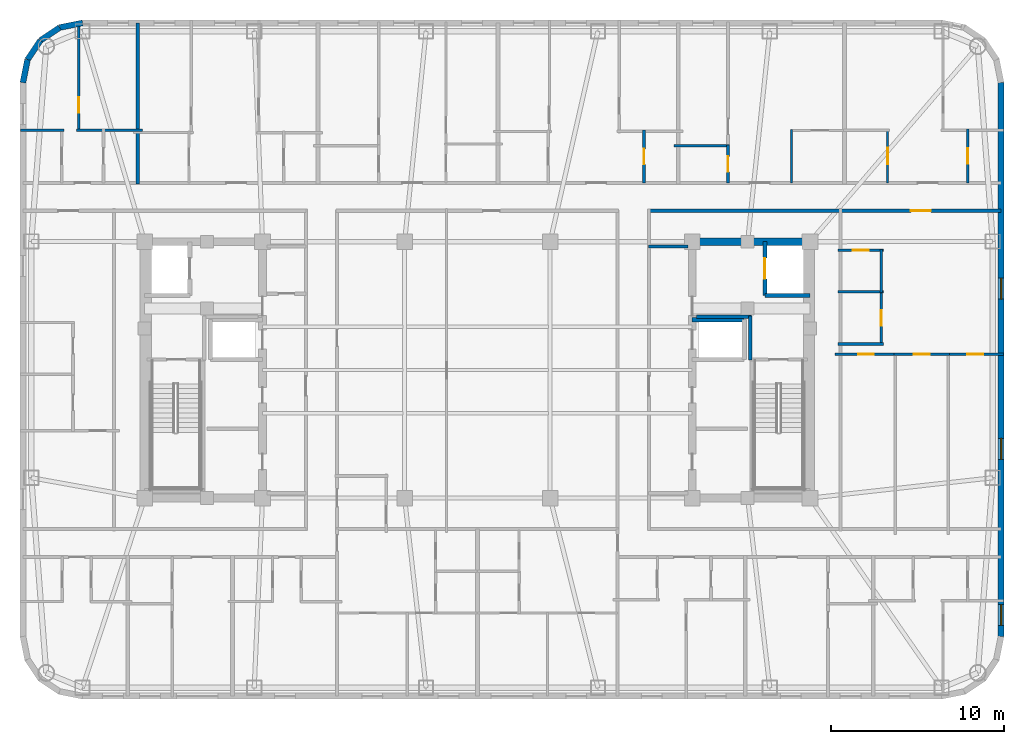
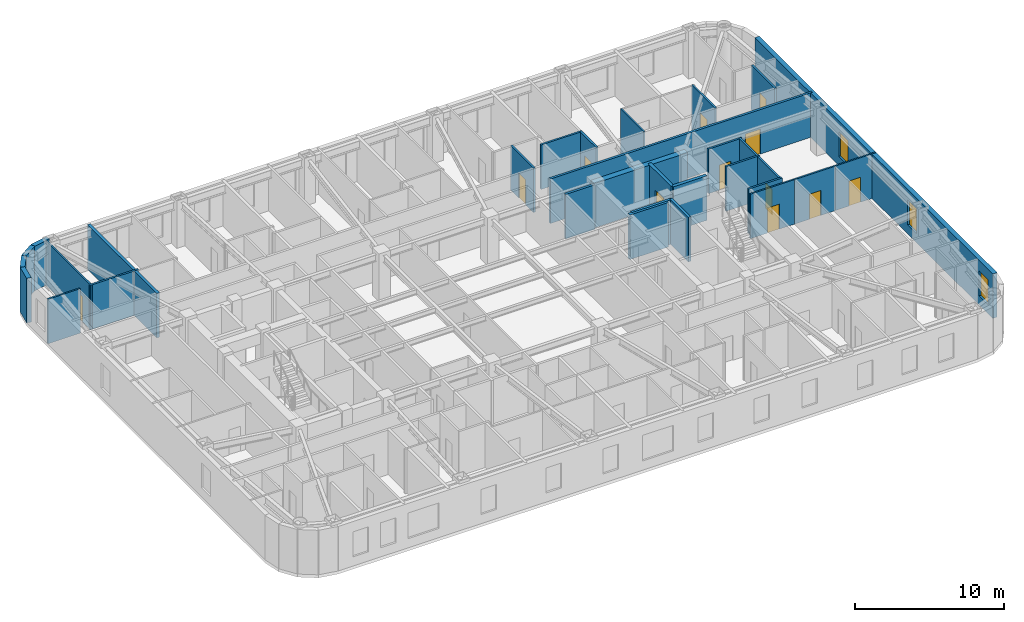
# One storey, part 7 of 11: 31 walls, 12 doors, 3 windows, 15 openings.
"""IFC4 building model written with IfcOpenShell, lengths in metres."""

from ifc_helpers import new_model, si_unit, direction, frame, frame_2d, origin, place, context, subcontext, project, spatial, rectangle, extrude, material, layer, layer_set, type_object, element, fill, save


model = new_model("IFC4")

# Units and contexts
model_context = context("Model", 3, precision=1e-05, world=origin(), true_north=direction((0.0, 1.0)))
body_context = subcontext(model_context, "Body", "Model", "MODEL_VIEW")
ifc_project = project(units=[si_unit("LENGTHUNIT", "METRE"), si_unit("AREAUNIT", "SQUARE_METRE"), si_unit("VOLUMEUNIT", "CUBIC_METRE"), si_unit("PLANEANGLEUNIT", "RADIAN"), si_unit("MASSUNIT", "GRAM", prefix="KILO")], contexts=[model_context])

# Site, building, storey
site_placement = place(None, origin())
site = spatial("IfcSite", under=ifc_project, at=site_placement, CompositionType="ELEMENT")
building_placement = place(site_placement, origin())
building = spatial("IfcBuilding", under=site, at=building_placement, Name="Voryun Gate Residences", CompositionType="ELEMENT")
storey_placement = place(building_placement, frame((0.0, 0.0, 223.60009765625)))
storey = spatial("IfcBuildingStorey", under=building, at=storey_placement, Name="L55", CompositionType="ELEMENT", Elevation=223.60009765625)

# Walls
ifc_material_1 = material(Name="Concrete C50/60", Category="concrete")
ifc_layer_1 = layer(ifc_material_1, 0.449951171875, Name="CW_CORE_450")
ifc_layer_set_1 = layer_set([ifc_layer_1], Name="Concrete C50/60")
wall_type_1 = type_object("IfcWallType", Name="CW_CORE_450", PredefinedType="SHEAR", material=ifc_layer_set_1)
wall_1_placement = place(storey_placement, frame((12.175048828125, 7.39990234375, 0.0), z_axis=(0.0, 0.0, 1.0), x_axis=(1.0, 0.0, 0.0)))
element("IfcWall", 1, at=wall_1_placement, inside=storey, type_object=wall_type_1, Name="L55 Core shear wall CW-L55-EN", PredefinedType="SHEAR", context=body_context, shape_type="SweptSolid", body=[
    extrude(rectangle(XDim=7.25, YDim=0.449951171875, at=frame_2d((3.625, 0.0))), origin(), (0.0, 0.0, 1.0), 3.64990234375),
])
ifc_material_2 = material(Name="Gypsum acoustic fireboard")
ifc_layer_2 = layer(ifc_material_2, 0.179931640625, Name="W_CORR_RATED_180")
ifc_layer_set_2 = layer_set([ifc_layer_2], Name="Gypsum acoustic fireboard")
wall_type_2 = type_object("IfcWallType", Name="W_CORR_RATED_180", PredefinedType="PARTITIONING", material=ifc_layer_set_2)
wall_2_placement = place(storey_placement, frame((9.8798828125, 7.1201171875, 0.0), z_axis=(0.0, 0.0, 1.0), x_axis=(1.0, 0.0, 0.0)))
element("IfcWall", 2, at=wall_2_placement, inside=storey, type_object=wall_type_2, Name="Partition wall WP-L55-PLBN-E", PredefinedType="PARTITIONING", context=body_context, shape_type="SweptSolid", body=[
    extrude(rectangle(XDim=2.27001953125, YDim=0.179931640625, at=frame_2d((1.135009765625, 0.0))), origin(), (0.0, 0.0, 1.0), 3.64990234375),
])

# Wall, opening, door
wall_3_placement = place(storey_placement, frame((9.8798828125, 9.18994140625, 0.0), z_axis=(0.0, 0.0, 1.0), x_axis=(1.0, 0.0, 0.0)))
wall_3 = element("IfcWall", 3, at=wall_3_placement, inside=storey, type_object=wall_type_2, Name="Partition wall WP-L55-CWING-EN", PredefinedType="PARTITIONING", context=body_context, shape_type="SweptSolid", body=[
    extrude(rectangle(XDim=20.35009765625, YDim=0.179931640625, at=frame_2d((10.175048828125, 0.0))), origin(), (0.0, 0.0, 1.0), 3.64990234375),
])
opening_1_placement = place(wall_3_placement, frame((15.1494140625, 0.0, 0.0)))
opening_1 = element("IfcOpeningElement", 4, at=opening_1_placement, cuts=wall_3, Name="Opening D-UNIT-1", PredefinedType="OPENING", context=body_context, shape_type="SweptSolid", body=[
    extrude(rectangle(XDim=1.14990234375, YDim=2.050048828125, at=frame_2d((0.574951171875, 1.02490234375))), frame((0.0, 0.099853515625, 0.0), z_axis=(0.0, -1.0, 0.0), x_axis=(1.0, 0.0, 0.0)), (0.0, 0.0, 1.0), 0.199951171875),
])
ifc_material_3 = material(Name="Armoured timber-clad fire door", Category="wood")
door_type_1 = type_object("IfcDoorType", Name="DR_UNIT_ENTRY_1150", OperationType="NOTDEFINED", PredefinedType="DOOR", material=ifc_material_3)
door_1_placement = place(opening_1_placement, origin())
door_1 = element("IfcDoor", 5, at=door_1_placement, inside=storey, type_object=door_type_1, Name="Door DR-L55-EE1N", OperationType="SINGLE_SWING_LEFT", OverallHeight=2.050048828125, OverallWidth=1.14990234375, PredefinedType="DOOR", context=body_context, shape_type="SweptSolid", body=[
    extrude(rectangle(XDim=1.14990234375, YDim=2.050048828125, at=frame_2d((0.574951171875, 1.02490234375))), frame((0.0, 0.02490234375, 0.0), z_axis=(0.0, -1.0, 0.0), x_axis=(1.0, 0.0, 0.0)), (0.0, 0.0, 1.0), 0.050048828125),
])
fill(opening_1, door_1)

# Walls
ifc_material_4 = material(Name="Charcoal terracotta masonry", Category="masonry")
ifc_layer_3 = layer(ifc_material_4, 0.340087890625, Name="W_EXT_TERRACOTTA_340")
ifc_layer_set_3 = layer_set([ifc_layer_3], Name="Charcoal terracotta masonry")
wall_type_3 = type_object("IfcWallType", Name="W_EXT_TERRACOTTA_340", PredefinedType="ELEMENTEDWALL", material=ifc_layer_set_3)
wall_4_placement = place(storey_placement, frame((-26.22998046875, 16.583251953125, 0.0), z_axis=(0.0, 0.0, 1.0), x_axis=(0.195075878998, 0.980788153188, 0.0)))
element("IfcWall", 6, at=wall_4_placement, inside=storey, type_object=wall_type_3, Name="Exterior wall WEXT-L55-07", PredefinedType="ELEMENTEDWALL", context=body_context, shape_type="SweptSolid", body=[
    extrude(rectangle(XDim=1.354248046875, YDim=0.340087890625, at=frame_2d((0.67724609375, 0.0))), origin(), (0.0, 0.0, 1.0), 3.64990234375),
])
for number, where, z_axis, x_axis, name in (
    (7, (-25.9658203125, 17.911376953125, 0.0), (0.0, 0.0, 1.0), (0.555669034571, 0.831403586725, 0.0), "Exterior wall WEXT-L55-08"),
    (8, (-25.222900390625, 19.02294921875, 0.0), (0.0, 0.0, 1.0), (0.831403586725, 0.555669034571, 0.0), "Exterior wall WEXT-L55-09"),
):
    element("IfcWall", number, at=place(storey_placement, frame(where, z_axis=z_axis, x_axis=x_axis)), inside=storey, type_object=wall_type_3, Name=name, PredefinedType="ELEMENTEDWALL", context=body_context, shape_type="SweptSolid", body=[
        extrude(rectangle(XDim=1.3369140625, YDim=0.340087890625, at=frame_2d((0.66845703125, 0.0))), origin(), (0.0, 0.0, 1.0), 3.64990234375),
    ])
wall_5_placement = place(storey_placement, frame((-24.111328125, 19.765869140625, 0.0), z_axis=(0.0, 0.0, 1.0), x_axis=(0.980788153188, 0.195075878998, 0.0)))
element("IfcWall", 9, at=wall_5_placement, inside=storey, type_object=wall_type_3, Name="Exterior wall WEXT-L55-10", PredefinedType="ELEMENTEDWALL", context=body_context, shape_type="SweptSolid", body=[
    extrude(rectangle(XDim=1.354248046875, YDim=0.340087890625, at=frame_2d((0.67724609375, 0.0))), origin(), (0.0, 0.0, 1.0), 3.64990234375),
])

# Wall, openings, windows
wall_6_placement = place(storey_placement, frame((30.22998046875, 16.583251953125, 0.0), z_axis=(0.0, 0.0, 1.0), x_axis=(0.0, -1.0, 0.0)))
wall_6 = element("IfcWall", 10, at=wall_6_placement, inside=storey, type_object=wall_type_3, Name="Exterior wall WEXT-L55-16", PredefinedType="ELEMENTEDWALL", context=body_context, shape_type="SweptSolid", body=[
    extrude(rectangle(XDim=31.966552734375, YDim=0.340087890625, at=frame_2d((15.9833984375, 0.0))), origin(), (0.0, 0.0, 1.0), 3.64990234375),
])
opening_2_placement = place(wall_6_placement, frame((30.13232421875, 0.0, 0.75)))
opening_2 = element("IfcOpeningElement", 11, at=opening_2_placement, cuts=wall_6, Name="Opening WN6", PredefinedType="OPENING", context=body_context, shape_type="SweptSolid", body=[
    extrude(rectangle(XDim=1.199951171875, YDim=2.050048828125, at=frame_2d((0.60009765625, 1.02490234375))), frame((0.0, 0.179931640625, 0.0), z_axis=(0.0, -1.0, 0.0), x_axis=(1.0, 0.0, 0.0)), (0.0, 0.0, 1.0), 0.360107421875),
])
opening_3_placement = place(wall_6_placement, frame((11.288330078125, 0.0, 0.75)))
opening_3 = element("IfcOpeningElement", 12, at=opening_3_placement, cuts=wall_6, Name="Opening WN6", PredefinedType="OPENING", context=body_context, shape_type="SweptSolid", body=[
    extrude(rectangle(XDim=1.199951171875, YDim=2.050048828125, at=frame_2d((0.60009765625, 1.02490234375))), frame((0.0, 0.179931640625, 0.0), z_axis=(0.0, -1.0, 0.0), x_axis=(1.0, 0.0, 0.0)), (0.0, 0.0, 1.0), 0.360107421875),
])
opening_4_placement = place(wall_6_placement, frame((20.538330078125, 0.0, 0.75)))
opening_4 = element("IfcOpeningElement", 13, at=opening_4_placement, cuts=wall_6, Name="Opening WN6", PredefinedType="OPENING", context=body_context, shape_type="SweptSolid", body=[
    extrude(rectangle(XDim=1.199951171875, YDim=2.050048828125, at=frame_2d((0.60009765625, 1.02490234375))), frame((0.0, 0.179931640625, 0.0), z_axis=(0.0, -1.0, 0.0), x_axis=(1.0, 0.0, 0.0)), (0.0, 0.0, 1.0), 0.360107421875),
])
ifc_material_5 = material(Name="Laminated low-E glass", Category="glass")
window_type = type_object("IfcWindowType", Name="WN_POD_SLOT_1200", PartitioningType="SINGLE_PANEL", PredefinedType="WINDOW", material=ifc_material_5)
window_1_placement = place(opening_2_placement, origin())
window_1 = element("IfcWindow", 14, at=window_1_placement, inside=storey, type_object=window_type, Name="Window WN-L55-DWFIX-23", OverallHeight=2.050048828125, OverallWidth=1.199951171875, PartitioningType="SINGLE_PANEL", PredefinedType="WINDOW", context=body_context, shape_type="SweptSolid", body=[
    extrude(rectangle(XDim=1.199951171875, YDim=2.050048828125, at=frame_2d((0.60009765625, 1.02490234375))), frame((0.0, 0.030029296875, 0.0), z_axis=(0.0, -1.0, 0.0), x_axis=(1.0, 0.0, 0.0)), (0.0, 0.0, 1.0), 0.06005859375),
])
fill(opening_2, window_1)
window_2_placement = place(opening_3_placement, origin())
window_2 = element("IfcWindow", 15, at=window_2_placement, inside=storey, type_object=window_type, Name="Window WN-L55-DWFIX-29", OverallHeight=2.050048828125, OverallWidth=1.199951171875, PartitioningType="SINGLE_PANEL", PredefinedType="WINDOW", context=body_context, shape_type="SweptSolid", body=[
    extrude(rectangle(XDim=1.199951171875, YDim=2.050048828125, at=frame_2d((0.60009765625, 1.02490234375))), frame((0.0, 0.030029296875, 0.0), z_axis=(0.0, -1.0, 0.0), x_axis=(1.0, 0.0, 0.0)), (0.0, 0.0, 1.0), 0.06005859375),
])
fill(opening_3, window_2)
window_3_placement = place(opening_4_placement, origin())
window_3 = element("IfcWindow", 16, at=window_3_placement, inside=storey, type_object=window_type, Name="Window WN-L55-DWFIX-30", OverallHeight=2.050048828125, OverallWidth=1.199951171875, PartitioningType="SINGLE_PANEL", PredefinedType="WINDOW", context=body_context, shape_type="SweptSolid", body=[
    extrude(rectangle(XDim=1.199951171875, YDim=2.050048828125, at=frame_2d((0.60009765625, 1.02490234375))), frame((0.0, 0.030029296875, 0.0), z_axis=(0.0, -1.0, 0.0), x_axis=(1.0, 0.0, 0.0)), (0.0, 0.0, 1.0), 0.06005859375),
])
fill(opening_4, window_3)

# Walls
ifc_material_6 = material(Name="Concrete C40/50", Category="concrete")
ifc_layer_4 = layer(ifc_material_6, 0.199951171875, Name="W_FF_LOBBY_200")
ifc_layer_set_4 = layer_set([ifc_layer_4], Name="Concrete C40/50")
wall_type_4 = type_object("IfcWallType", Name="W_FF_LOBBY_200", PredefinedType="PARTITIONING", material=ifc_layer_set_4)
wall_7_placement = place(storey_placement, frame((15.760009765625, 0.580078125, 0.0), z_axis=(0.0, 0.0, 1.0), x_axis=(0.0, 1.0, 0.0)))
element("IfcWall", 17, at=wall_7_placement, inside=storey, type_object=wall_type_4, Name="Partition wall WP-L55-FFP0-E", PredefinedType="PARTITIONING", context=body_context, shape_type="SweptSolid", body=[
    extrude(rectangle(XDim=2.52001953125, YDim=0.199951171875, at=frame_2d((1.260009765625, 0.0))), origin(), (0.0, 0.0, 1.0), 3.64990234375),
])
wall_8_placement = place(storey_placement, frame((12.659912109375, 3.06005859375, 0.0), z_axis=(0.0, 0.0, 1.0), x_axis=(1.0, 0.0, 0.0)))
element("IfcWall", 18, at=wall_8_placement, inside=storey, type_object=wall_type_4, Name="Partition wall WP-L55-FFPS-E", PredefinedType="PARTITIONING", context=body_context, shape_type="SweptSolid", body=[
    extrude(rectangle(XDim=3.16015625, YDim=0.199951171875, at=frame_2d((1.580078125, 0.0))), origin(), (0.0, 0.0, 1.0), 3.64990234375),
])
ifc_material_7 = material(Name="Concrete C40/50", Category="concrete")
ifc_layer_5 = layer(ifc_material_7, 0.219970703125, Name="W_PARTY_ACOUSTIC_220")
ifc_layer_set_5 = layer_set([ifc_layer_5], Name="Concrete C40/50")
wall_type_5 = type_object("IfcWallType", Name="W_PARTY_ACOUSTIC_220", PredefinedType="PARTITIONING", material=ifc_layer_set_5)
wall_9_placement = place(storey_placement, frame((-19.60009765625, 10.719970703125, 0.0), z_axis=(0.0, 0.0, 1.0), x_axis=(0.0, 1.0, 0.0)))
element("IfcWall", 19, at=wall_9_placement, inside=storey, type_object=wall_type_5, Name="Partition wall WP-L55-NPTY-1", PredefinedType="PARTITIONING", context=body_context, shape_type="SweptSolid", body=[
    extrude(rectangle(XDim=9.31005859375, YDim=0.219970703125, at=frame_2d((4.655029296875, 0.0))), origin(), (0.0, 0.0, 1.0), 3.64990234375),
])
ifc_material_8 = material(Name="Concrete C50/60", Category="concrete")
ifc_layer_6 = layer(ifc_material_8, 0.25, Name="W_SHAFT_RC250")
ifc_layer_set_6 = layer_set([ifc_layer_6], Name="Concrete C50/60")
wall_type_6 = type_object("IfcWallType", Name="W_SHAFT_RC250", PredefinedType="SOLIDWALL", material=ifc_layer_set_6)
wall_10_placement = place(storey_placement, frame((16.60009765625, 4.300048828125, 0.0), z_axis=(0.0, 0.0, 1.0), x_axis=(1.0, 0.0, 0.0)))
element("IfcWall", 20, at=wall_10_placement, inside=storey, type_object=wall_type_6, Name="Lift shaft wall WSH-L55-EL-FF-E1-S", PredefinedType="SOLIDWALL", context=body_context, shape_type="SweptSolid", body=[
    extrude(rectangle(XDim=2.599853515625, YDim=0.25, at=frame_2d((1.2998046875, 0.0))), origin(), (0.0, 0.0, 1.0), 3.64990234375),
])

# Wall, opening, door
wall_11_placement = place(storey_placement, frame((16.60009765625, 7.39990234375, 0.0), z_axis=(0.0, 0.0, 1.0), x_axis=(0.0, -1.0, 0.0)))
wall_11 = element("IfcWall", 21, at=wall_11_placement, inside=storey, type_object=wall_type_6, Name="Lift shaft wall WSH-L55-EL-FF-E1-W", PredefinedType="SOLIDWALL", context=body_context, shape_type="SweptSolid", body=[
    extrude(rectangle(XDim=3.099853515625, YDim=0.25, at=frame_2d((1.5498046875, 0.0))), origin(), (0.0, 0.0, 1.0), 3.64990234375),
])
opening_5_placement = place(wall_11_placement, frame((0.949951171875, 0.0, 0.0)))
opening_5 = element("IfcOpeningElement", 22, at=opening_5_placement, cuts=wall_11, Name="Opening LD1", PredefinedType="OPENING", context=body_context, shape_type="SweptSolid", body=[
    extrude(rectangle(XDim=1.199951171875, YDim=2.050048828125, at=frame_2d((0.60009765625, 1.02490234375))), frame((0.0, 0.135009765625, 0.0), z_axis=(0.0, -1.0, 0.0), x_axis=(1.0, 0.0, 0.0)), (0.0, 0.0, 1.0), 0.27001953125),
])
ifc_material_9 = material(Name="Anodised aluminium", Category="aluminium")
door_type_2 = type_object("IfcDoorType", Name="DR_LD_FF_1200", OperationType="NOTDEFINED", PredefinedType="DOOR", material=ifc_material_9)
door_2_placement = place(opening_5_placement, origin())
door_2 = element("IfcDoor", 23, at=door_2_placement, inside=storey, type_object=door_type_2, Name="Lift EL-FF-E1 sliding landing door L55", OperationType="SLIDING_TO_LEFT", OverallHeight=2.050048828125, OverallWidth=1.199951171875, PredefinedType="DOOR", context=body_context, shape_type="SweptSolid", body=[
    extrude(rectangle(XDim=1.199951171875, YDim=2.050048828125, at=frame_2d((0.60009765625, 1.02490234375))), frame((0.0, 0.02490234375, 0.0), z_axis=(0.0, -1.0, 0.0), x_axis=(1.0, 0.0, 0.0)), (0.0, 0.0, 1.0), 0.050048828125),
])
fill(opening_5, door_2)

# Wall
wall_12_placement = place(storey_placement, frame((15.39990234375, 2.89990234375, 0.0), z_axis=(0.0, 0.0, 1.0), x_axis=(-1.0, 0.0, 0.0)))
element("IfcWall", 24, at=wall_12_placement, inside=storey, type_object=wall_type_6, Name="Lift shaft wall WSH-L55-EL-P8-N", PredefinedType="SOLIDWALL", context=body_context, shape_type="SweptSolid", body=[
    extrude(rectangle(XDim=3.0, YDim=0.25, at=frame_2d((1.5, 0.0))), origin(), (0.0, 0.0, 1.0), 3.64990234375),
])

# Wall, opening, door
ifc_material_10 = material(Name="Gypsum acoustic partition")
ifc_layer_7 = layer(ifc_material_10, 0.125, Name="W_UNIT_PART_125")
ifc_layer_set_7 = layer_set([ifc_layer_7], Name="Gypsum acoustic partition")
wall_type_7 = type_object("IfcWallType", Name="W_UNIT_PART_125", PredefinedType="PARTITIONING", material=ifc_layer_set_7)
wall_13_placement = place(storey_placement, frame((-23.010009765625, 13.759033203125, 0.0), z_axis=(0.0, 0.0, 1.0), x_axis=(0.0, 1.0, 0.0)))
wall_13 = element("IfcWall", 25, at=wall_13_placement, inside=storey, type_object=wall_type_7, Name="Partition wall WP-L55-N1-OVR", PredefinedType="PARTITIONING", context=body_context, shape_type="SweptSolid", body=[
    extrude(rectangle(XDim=6.378662109375, YDim=0.125, at=frame_2d((3.189453125, 0.0))), origin(), (0.0, 0.0, 1.0), 3.64990234375),
])
opening_6_placement = place(wall_13_placement, frame((1.080810546875, 0.0, 0.0)))
opening_6 = element("IfcOpeningElement", 26, at=opening_6_placement, cuts=wall_13, Name="Opening D-INT-2", PredefinedType="OPENING", context=body_context, shape_type="SweptSolid", body=[
    extrude(rectangle(XDim=0.89990234375, YDim=2.050048828125, at=frame_2d((0.449951171875, 1.02490234375))), frame((0.0, 0.072509765625, 0.0), z_axis=(0.0, -1.0, 0.0), x_axis=(1.0, 0.0, 0.0)), (0.0, 0.0, 1.0), 0.14501953125),
])
ifc_material_11 = material(Name="Architectural oak veneer")
door_type_3 = type_object("IfcDoorType", Name="DR_INT_BATH_900", OperationType="NOTDEFINED", PredefinedType="DOOR", material=ifc_material_11)
door_3_placement = place(opening_6_placement, origin())
door_3 = element("IfcDoor", 27, at=door_3_placement, inside=storey, type_object=door_type_3, Name="Door DR-L55-N1-DMB", OperationType="SINGLE_SWING_RIGHT", OverallHeight=2.050048828125, OverallWidth=0.89990234375, PredefinedType="DOOR", context=body_context, shape_type="SweptSolid", body=[
    extrude(rectangle(XDim=0.89990234375, YDim=2.050048828125, at=frame_2d((0.449951171875, 1.02490234375))), frame((0.0, 0.02490234375, 0.0), z_axis=(0.0, -1.0, 0.0), x_axis=(1.0, 0.0, 0.0)), (0.0, 0.0, 1.0), 0.050048828125),
])
fill(opening_6, door_3)

# Walls
wall_14_placement = place(storey_placement, frame((-26.3798828125, 13.839111328125, 0.0), z_axis=(0.0, 0.0, 1.0), x_axis=(1.0, 0.0, 0.0)))
element("IfcWall", 28, at=wall_14_placement, inside=storey, type_object=wall_type_7, Name="Partition wall WP-L55-N1-HZK", PredefinedType="PARTITIONING", context=body_context, shape_type="SweptSolid", body=[
    extrude(rectangle(XDim=2.512939453125, YDim=0.125, at=frame_2d((1.25634765625, 0.0))), origin(), (0.0, 0.0, 1.0), 3.64990234375),
])
wall_15_placement = place(storey_placement, frame((18.136962890625, 10.780029296875, 0.0), z_axis=(0.0, 0.0, 1.0), x_axis=(0.0, 1.0, 0.0)))
element("IfcWall", 29, at=wall_15_placement, inside=storey, type_object=wall_type_7, Name="Partition wall WP-L55-N5-KVX", PredefinedType="PARTITIONING", context=body_context, shape_type="SweptSolid", body=[
    extrude(rectangle(XDim=3.099853515625, YDim=0.125, at=frame_2d((1.5498046875, 0.0))), origin(), (0.0, 0.0, 1.0), 3.64990234375),
])

# Wall, opening, door
wall_16_placement = place(storey_placement, frame((23.68408203125, 10.780029296875, 0.0), z_axis=(0.0, 0.0, 1.0), x_axis=(0.0, 1.0, 0.0)))
wall_16 = element("IfcWall", 30, at=wall_16_placement, inside=storey, type_object=wall_type_7, Name="Partition wall WP-L55-N6-IVK", PredefinedType="PARTITIONING", context=body_context, shape_type="SweptSolid", body=[
    extrude(rectangle(XDim=3.138916015625, YDim=0.125, at=frame_2d((1.5693359375, 0.0))), origin(), (0.0, 0.0, 1.0), 3.64990234375),
])
opening_7_placement = place(wall_16_placement, frame((1.094482421875, 0.0, 0.0)))
opening_7 = element("IfcOpeningElement", 31, at=opening_7_placement, cuts=wall_16, Name="Opening D-INT-1", PredefinedType="OPENING", context=body_context, shape_type="SweptSolid", body=[
    extrude(rectangle(XDim=0.949951171875, YDim=2.050048828125, at=frame_2d((0.47509765625, 1.02490234375))), frame((0.0, 0.072509765625, 0.0), z_axis=(0.0, -1.0, 0.0), x_axis=(1.0, 0.0, 0.0)), (0.0, 0.0, 1.0), 0.14501953125),
])
ifc_material_12 = material(Name="Architectural oak veneer")
door_type_4 = type_object("IfcDoorType", Name="DR_INT_ROOM_950", OperationType="NOTDEFINED", PredefinedType="DOOR", material=ifc_material_12)
door_4_placement = place(opening_7_placement, origin())
door_4 = element("IfcDoor", 32, at=door_4_placement, inside=storey, type_object=door_type_4, Name="Door DR-L55-N6-DK", OperationType="SINGLE_SWING_LEFT", OverallHeight=2.050048828125, OverallWidth=0.949951171875, PredefinedType="DOOR", context=body_context, shape_type="SweptSolid", body=[
    extrude(rectangle(XDim=0.949951171875, YDim=2.050048828125, at=frame_2d((0.47509765625, 1.02490234375))), frame((0.0, 0.02490234375, 0.0), z_axis=(0.0, -1.0, 0.0), x_axis=(1.0, 0.0, 0.0)), (0.0, 0.0, 1.0), 0.050048828125),
])
fill(opening_7, door_4)

wall_17_placement = place(storey_placement, frame((20.64990234375, 0.909912109375, 0.0), z_axis=(0.0, 0.0, 1.0), x_axis=(1.0, 0.0, 0.0)))
wall_17 = element("IfcWall", 33, at=wall_17_placement, inside=storey, type_object=wall_type_7, Name="Partition wall WP-L55-E1-HZMB1", PredefinedType="PARTITIONING", context=body_context, shape_type="SweptSolid", body=[
    extrude(rectangle(XDim=3.53369140625, YDim=0.125, at=frame_2d((1.766845703125, 0.0))), origin(), (0.0, 0.0, 1.0), 3.64990234375),
])
opening_8_placement = place(wall_17_placement, frame((1.325439453125, 0.0, 0.0)))
opening_8 = element("IfcOpeningElement", 34, at=opening_8_placement, cuts=wall_17, Name="Opening D-INT-2", PredefinedType="OPENING", context=body_context, shape_type="SweptSolid", body=[
    extrude(rectangle(XDim=0.89990234375, YDim=2.050048828125, at=frame_2d((0.449951171875, 1.02490234375))), frame((0.0, 0.072509765625, 0.0), z_axis=(0.0, -1.0, 0.0), x_axis=(1.0, 0.0, 0.0)), (0.0, 0.0, 1.0), 0.14501953125),
])
door_5_placement = place(opening_8_placement, origin())
door_5 = element("IfcDoor", 35, at=door_5_placement, inside=storey, type_object=door_type_3, Name="Door DR-L55-E1-DMB", OperationType="SINGLE_SWING_LEFT", OverallHeight=2.050048828125, OverallWidth=0.89990234375, PredefinedType="DOOR", context=body_context, shape_type="SweptSolid", body=[
    extrude(rectangle(XDim=0.89990234375, YDim=2.050048828125, at=frame_2d((0.449951171875, 1.02490234375))), frame((0.0, 0.02490234375, 0.0), z_axis=(0.0, -1.0, 0.0), x_axis=(1.0, 0.0, 0.0)), (0.0, 0.0, 1.0), 0.050048828125),
])
fill(opening_8, door_5)

wall_18_placement = place(storey_placement, frame((24.05859375, 0.909912109375, 0.0), z_axis=(0.0, 0.0, 1.0), x_axis=(1.0, 0.0, 0.0)))
wall_18 = element("IfcWall", 36, at=wall_18_placement, inside=storey, type_object=wall_type_7, Name="Partition wall WP-L55-E1-HZMB2", PredefinedType="PARTITIONING", context=body_context, shape_type="SweptSolid", body=[
    extrude(rectangle(XDim=3.182861328125, YDim=0.125, at=frame_2d((1.59130859375, 0.0))), origin(), (0.0, 0.0, 1.0), 3.64990234375),
])
opening_9_placement = place(wall_18_placement, frame((1.1416015625, 0.0, 0.0)))
opening_9 = element("IfcOpeningElement", 37, at=opening_9_placement, cuts=wall_18, Name="Opening D-INT-2", PredefinedType="OPENING", context=body_context, shape_type="SweptSolid", body=[
    extrude(rectangle(XDim=0.89990234375, YDim=2.050048828125, at=frame_2d((0.449951171875, 1.02490234375))), frame((0.0, 0.072509765625, 0.0), z_axis=(0.0, -1.0, 0.0), x_axis=(1.0, 0.0, 0.0)), (0.0, 0.0, 1.0), 0.14501953125),
])
door_6_placement = place(opening_9_placement, origin())
door_6 = element("IfcDoor", 38, at=door_6_placement, inside=storey, type_object=door_type_3, Name="Door DR-L55-E1-DBD2", OperationType="SINGLE_SWING_RIGHT", OverallHeight=2.050048828125, OverallWidth=0.89990234375, PredefinedType="DOOR", context=body_context, shape_type="SweptSolid", body=[
    extrude(rectangle(XDim=0.89990234375, YDim=2.050048828125, at=frame_2d((0.449951171875, 1.02490234375))), frame((0.0, 0.02490234375, 0.0), z_axis=(0.0, -1.0, 0.0), x_axis=(1.0, 0.0, 0.0)), (0.0, 0.0, 1.0), 0.050048828125),
])
fill(opening_9, door_6)

wall_19_placement = place(storey_placement, frame((27.116455078125, 0.909912109375, 0.0), z_axis=(0.0, 0.0, 1.0), x_axis=(1.0, 0.0, 0.0)))
wall_19 = element("IfcWall", 39, at=wall_19_placement, inside=storey, type_object=wall_type_7, Name="Partition wall WP-L55-E1-HZMB3", PredefinedType="PARTITIONING", context=body_context, shape_type="SweptSolid", body=[
    extrude(rectangle(XDim=3.263427734375, YDim=0.125, at=frame_2d((1.6318359375, 0.0))), origin(), (0.0, 0.0, 1.0), 3.64990234375),
])
opening_10_placement = place(wall_19_placement, frame((1.173095703125, 0.0, 0.0)))
opening_10 = element("IfcOpeningElement", 40, at=opening_10_placement, cuts=wall_19, Name="Opening D-INT-2", PredefinedType="OPENING", context=body_context, shape_type="SweptSolid", body=[
    extrude(rectangle(XDim=0.89990234375, YDim=2.050048828125, at=frame_2d((0.449951171875, 1.02490234375))), frame((0.0, 0.072509765625, 0.0), z_axis=(0.0, -1.0, 0.0), x_axis=(1.0, 0.0, 0.0)), (0.0, 0.0, 1.0), 0.14501953125),
])
door_7_placement = place(opening_10_placement, origin())
door_7 = element("IfcDoor", 41, at=door_7_placement, inside=storey, type_object=door_type_3, Name="Door DR-L55-E1-DBD3", OperationType="SINGLE_SWING_LEFT", OverallHeight=2.050048828125, OverallWidth=0.89990234375, PredefinedType="DOOR", context=body_context, shape_type="SweptSolid", body=[
    extrude(rectangle(XDim=0.89990234375, YDim=2.050048828125, at=frame_2d((0.449951171875, 1.02490234375))), frame((0.0, 0.02490234375, 0.0), z_axis=(0.0, -1.0, 0.0), x_axis=(1.0, 0.0, 0.0)), (0.0, 0.0, 1.0), 0.050048828125),
])
fill(opening_10, door_7)

# Wall
ifc_material_13 = material(Name="Gypsum moisture-resistant partition")
ifc_layer_8 = layer(ifc_material_13, 0.14990234375, Name="W_WET_PLUMB_150")
ifc_layer_set_8 = layer_set([ifc_layer_8], Name="Gypsum moisture-resistant partition")
wall_type_8 = type_object("IfcWallType", Name="W_WET_PLUMB_150", PredefinedType="PLUMBINGWALL", material=ifc_layer_set_8)
wall_20_placement = place(storey_placement, frame((-23.1298828125, 13.839111328125, 0.0), z_axis=(0.0, 0.0, 1.0), x_axis=(1.0, 0.0, 0.0)))
element("IfcWall", 42, at=wall_20_placement, inside=storey, type_object=wall_type_8, Name="Partition wall WP-L55-N1-HZB", PredefinedType="PLUMBINGWALL", context=body_context, shape_type="SweptSolid", body=[
    extrude(rectangle(XDim=3.789794921875, YDim=0.14990234375, at=frame_2d((1.89501953125, 0.0))), origin(), (0.0, 0.0, 1.0), 3.64990234375),
])

# Wall, opening, door
wall_21_placement = place(storey_placement, frame((9.6201171875, 10.780029296875, 0.0), z_axis=(0.0, 0.0, 1.0), x_axis=(0.0, 1.0, 0.0)))
wall_21 = element("IfcWall", 43, at=wall_21_placement, inside=storey, type_object=wall_type_8, Name="Partition wall WP-L55-N4-IVB", PredefinedType="PLUMBINGWALL", context=body_context, shape_type="SweptSolid", body=[
    extrude(rectangle(XDim=3.069091796875, YDim=0.14990234375, at=frame_2d((1.53466796875, 0.0))), origin(), (0.0, 0.0, 1.0), 3.64990234375),
])
opening_11_placement = place(wall_21_placement, frame((1.08447265625, 0.0, 0.0)))
opening_11 = element("IfcOpeningElement", 44, at=opening_11_placement, cuts=wall_21, Name="Opening D-INT-2", PredefinedType="OPENING", context=body_context, shape_type="SweptSolid", body=[
    extrude(rectangle(XDim=0.89990234375, YDim=2.050048828125, at=frame_2d((0.449951171875, 1.02490234375))), frame((0.0, 0.0849609375, 0.0), z_axis=(0.0, -1.0, 0.0), x_axis=(1.0, 0.0, 0.0)), (0.0, 0.0, 1.0), 0.169921875),
])
door_8_placement = place(opening_11_placement, origin())
door_8 = element("IfcDoor", 45, at=door_8_placement, inside=storey, type_object=door_type_3, Name="Door DR-L55-N4-DB", OperationType="SINGLE_SWING_RIGHT", OverallHeight=2.050048828125, OverallWidth=0.89990234375, PredefinedType="DOOR", context=body_context, shape_type="SweptSolid", body=[
    extrude(rectangle(XDim=0.89990234375, YDim=2.050048828125, at=frame_2d((0.449951171875, 1.02490234375))), frame((0.0, 0.02490234375, 0.0), z_axis=(0.0, -1.0, 0.0), x_axis=(1.0, 0.0, 0.0)), (0.0, 0.0, 1.0), 0.050048828125),
])
fill(opening_11, door_8)

# Wall
wall_22_placement = place(storey_placement, frame((11.340087890625, 12.93994140625, 0.0), z_axis=(0.0, 0.0, 1.0), x_axis=(1.0, 0.0, 0.0)))
element("IfcWall", 46, at=wall_22_placement, inside=storey, type_object=wall_type_8, Name="Partition wall WP-L55-N5-LHY", PredefinedType="PLUMBINGWALL", context=body_context, shape_type="SweptSolid", body=[
    extrude(rectangle(XDim=3.205810546875, YDim=0.14990234375, at=frame_2d((1.60302734375, 0.0))), origin(), (0.0, 0.0, 1.0), 3.64990234375),
])

# Wall, opening, door
wall_23_placement = place(storey_placement, frame((14.466064453125, 10.780029296875, 0.0), z_axis=(0.0, 0.0, 1.0), x_axis=(0.0, 1.0, 0.0)))
wall_23 = element("IfcWall", 47, at=wall_23_placement, inside=storey, type_object=wall_type_8, Name="Partition wall WP-L55-N5-LVX1", PredefinedType="PLUMBINGWALL", context=body_context, shape_type="SweptSolid", body=[
    extrude(rectangle(XDim=2.199951171875, YDim=0.14990234375, at=frame_2d((1.10009765625, 0.0))), origin(), (0.0, 0.0, 1.0), 3.64990234375),
])
opening_12_placement = place(wall_23_placement, frame((0.64990234375, 0.0, 0.0)))
opening_12 = element("IfcOpeningElement", 48, at=opening_12_placement, cuts=wall_23, Name="Opening D-INT-2", PredefinedType="OPENING", context=body_context, shape_type="SweptSolid", body=[
    extrude(rectangle(XDim=0.89990234375, YDim=2.050048828125, at=frame_2d((0.449951171875, 1.02490234375))), frame((0.0, 0.0849609375, 0.0), z_axis=(0.0, -1.0, 0.0), x_axis=(1.0, 0.0, 0.0)), (0.0, 0.0, 1.0), 0.169921875),
])
door_9_placement = place(opening_12_placement, origin())
door_9 = element("IfcDoor", 49, at=door_9_placement, inside=storey, type_object=door_type_3, Name="Door DR-L55-N5-DB", OperationType="SINGLE_SWING_LEFT", OverallHeight=2.050048828125, OverallWidth=0.89990234375, PredefinedType="DOOR", context=body_context, shape_type="SweptSolid", body=[
    extrude(rectangle(XDim=0.89990234375, YDim=2.050048828125, at=frame_2d((0.449951171875, 1.02490234375))), frame((0.0, 0.02490234375, 0.0), z_axis=(0.0, -1.0, 0.0), x_axis=(1.0, 0.0, 0.0)), (0.0, 0.0, 1.0), 0.050048828125),
])
fill(opening_12, door_9)

wall_24_placement = place(storey_placement, frame((28.31689453125, 10.780029296875, 0.0), z_axis=(0.0, 0.0, 1.0), x_axis=(0.0, 1.0, 0.0)))
wall_24 = element("IfcWall", 50, at=wall_24_placement, inside=storey, type_object=wall_type_8, Name="Partition wall WP-L55-N6-IVB", PredefinedType="PLUMBINGWALL", context=body_context, shape_type="SweptSolid", body=[
    extrude(rectangle(XDim=3.138916015625, YDim=0.14990234375, at=frame_2d((1.5693359375, 0.0))), origin(), (0.0, 0.0, 1.0), 3.64990234375),
])
opening_13_placement = place(wall_24_placement, frame((1.119384765625, 0.0, 0.0)))
opening_13 = element("IfcOpeningElement", 51, at=opening_13_placement, cuts=wall_24, Name="Opening D-INT-2", PredefinedType="OPENING", context=body_context, shape_type="SweptSolid", body=[
    extrude(rectangle(XDim=0.89990234375, YDim=2.050048828125, at=frame_2d((0.449951171875, 1.02490234375))), frame((0.0, 0.0849609375, 0.0), z_axis=(0.0, -1.0, 0.0), x_axis=(1.0, 0.0, 0.0)), (0.0, 0.0, 1.0), 0.169921875),
])
door_10_placement = place(opening_13_placement, origin())
door_10 = element("IfcDoor", 52, at=door_10_placement, inside=storey, type_object=door_type_3, Name="Door DR-L55-N6-DB", OperationType="SINGLE_SWING_RIGHT", OverallHeight=2.050048828125, OverallWidth=0.89990234375, PredefinedType="DOOR", context=body_context, shape_type="SweptSolid", body=[
    extrude(rectangle(XDim=0.89990234375, YDim=2.050048828125, at=frame_2d((0.449951171875, 1.02490234375))), frame((0.0, 0.02490234375, 0.0), z_axis=(0.0, -1.0, 0.0), x_axis=(1.0, 0.0, 0.0)), (0.0, 0.0, 1.0), 0.050048828125),
])
fill(opening_13, door_10)

wall_25_placement = place(storey_placement, frame((20.820068359375, 6.89990234375, 0.0), z_axis=(0.0, 0.0, 1.0), x_axis=(1.0, 0.0, 0.0)))
wall_25 = element("IfcWall", 53, at=wall_25_placement, inside=storey, type_object=wall_type_8, Name="Partition wall WP-L55-E1-IBT", PredefinedType="PLUMBINGWALL", context=body_context, shape_type="SweptSolid", body=[
    extrude(rectangle(XDim=2.619873046875, YDim=0.14990234375, at=frame_2d((1.31005859375, 0.0))), origin(), (0.0, 0.0, 1.0), 3.64990234375),
])
opening_14_placement = place(wall_25_placement, frame((0.860107421875, 0.0, 0.0)))
opening_14 = element("IfcOpeningElement", 54, at=opening_14_placement, cuts=wall_25, Name="Opening D-INT-2", PredefinedType="OPENING", context=body_context, shape_type="SweptSolid", body=[
    extrude(rectangle(XDim=0.89990234375, YDim=2.050048828125, at=frame_2d((0.449951171875, 1.02490234375))), frame((0.0, 0.0849609375, 0.0), z_axis=(0.0, -1.0, 0.0), x_axis=(1.0, 0.0, 0.0)), (0.0, 0.0, 1.0), 0.169921875),
])
door_11_placement = place(opening_14_placement, origin())
door_11 = element("IfcDoor", 55, at=door_11_placement, inside=storey, type_object=door_type_3, Name="Door DR-L55-E1-DK", OperationType="SINGLE_SWING_LEFT", OverallHeight=2.050048828125, OverallWidth=0.89990234375, PredefinedType="DOOR", context=body_context, shape_type="SweptSolid", body=[
    extrude(rectangle(XDim=0.89990234375, YDim=2.050048828125, at=frame_2d((0.449951171875, 1.02490234375))), frame((0.0, 0.02490234375, 0.0), z_axis=(0.0, -1.0, 0.0), x_axis=(1.0, 0.0, 0.0)), (0.0, 0.0, 1.0), 0.050048828125),
])
fill(opening_14, door_11)

# Walls
for number, where, z_axis, x_axis, name in (
    (56, (20.820068359375, 4.52001953125, 0.0), (0.0, 0.0, 1.0), (1.0, 0.0, 0.0), "Partition wall WP-L55-E1-IKB"),
    (57, (20.820068359375, 1.5, 0.0), (0.0, 0.0, 1.0), (1.0, 0.0, 0.0), "Partition wall WP-L55-E1-IBB"),
):
    element("IfcWall", number, at=place(storey_placement, frame(where, z_axis=z_axis, x_axis=x_axis)), inside=storey, type_object=wall_type_8, Name=name, PredefinedType="PLUMBINGWALL", context=body_context, shape_type="SweptSolid", body=[
        extrude(rectangle(XDim=2.619873046875, YDim=0.14990234375, at=frame_2d((1.31005859375, 0.0))), origin(), (0.0, 0.0, 1.0), 3.64990234375),
    ])

# Wall, opening, door
wall_26_placement = place(storey_placement, frame((23.320068359375, 1.43994140625, 0.0), z_axis=(0.0, 0.0, 1.0), x_axis=(0.0, 1.0, 0.0)))
wall_26 = element("IfcWall", 58, at=wall_26_placement, inside=storey, type_object=wall_type_8, Name="Partition wall WP-L55-E1-VTSK1", PredefinedType="PLUMBINGWALL", context=body_context, shape_type="SweptSolid", body=[
    extrude(rectangle(XDim=3.1201171875, YDim=0.14990234375, at=frame_2d((1.56005859375, 0.0))), origin(), (0.0, 0.0, 1.0), 3.64990234375),
])
opening_15_placement = place(wall_26_placement, frame((1.110107421875, 0.0, 0.0)))
opening_15 = element("IfcOpeningElement", 59, at=opening_15_placement, cuts=wall_26, Name="Opening D-INT-2", PredefinedType="OPENING", context=body_context, shape_type="SweptSolid", body=[
    extrude(rectangle(XDim=0.89990234375, YDim=2.050048828125, at=frame_2d((0.449951171875, 1.02490234375))), frame((0.0, 0.0849609375, 0.0), z_axis=(0.0, -1.0, 0.0), x_axis=(1.0, 0.0, 0.0)), (0.0, 0.0, 1.0), 0.169921875),
])
door_12_placement = place(opening_15_placement, origin())
door_12 = element("IfcDoor", 60, at=door_12_placement, inside=storey, type_object=door_type_3, Name="Door DR-L55-E1-DB", OperationType="SINGLE_SWING_RIGHT", OverallHeight=2.050048828125, OverallWidth=0.89990234375, PredefinedType="DOOR", context=body_context, shape_type="SweptSolid", body=[
    extrude(rectangle(XDim=0.89990234375, YDim=2.050048828125, at=frame_2d((0.449951171875, 1.02490234375))), frame((0.0, 0.02490234375, 0.0), z_axis=(0.0, -1.0, 0.0), x_axis=(1.0, 0.0, 0.0)), (0.0, 0.0, 1.0), 0.050048828125),
])
fill(opening_15, door_12)

# Wall
wall_27_placement = place(storey_placement, frame((23.320068359375, 4.47998046875, 0.0), z_axis=(0.0, 0.0, 1.0), x_axis=(0.0, 1.0, 0.0)))
element("IfcWall", 61, at=wall_27_placement, inside=storey, type_object=wall_type_8, Name="Partition wall WP-L55-E1-VTSK2", PredefinedType="PLUMBINGWALL", context=body_context, shape_type="SweptSolid", body=[
    extrude(rectangle(XDim=2.47998046875, YDim=0.14990234375, at=frame_2d((1.239990234375, 0.0))), origin(), (0.0, 0.0, 1.0), 3.64990234375),
])

save(model, "model.ifc")
